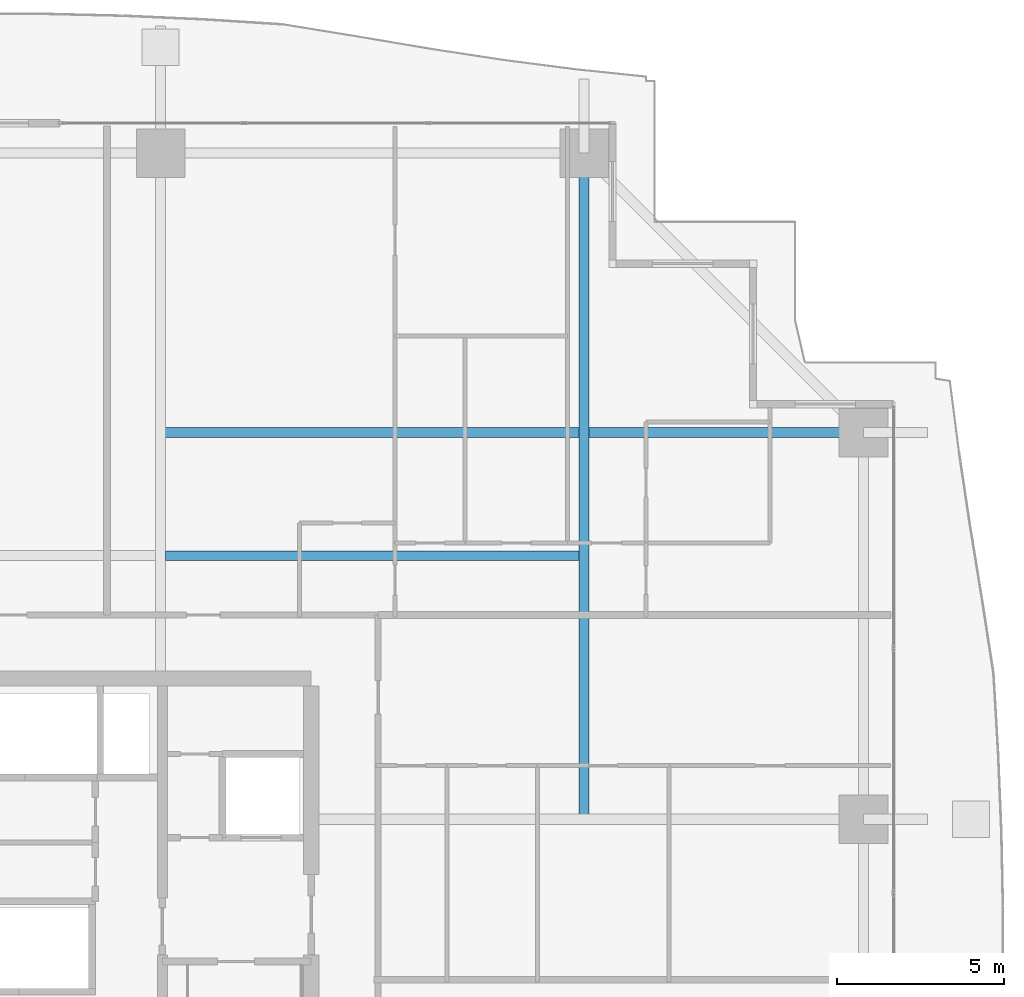
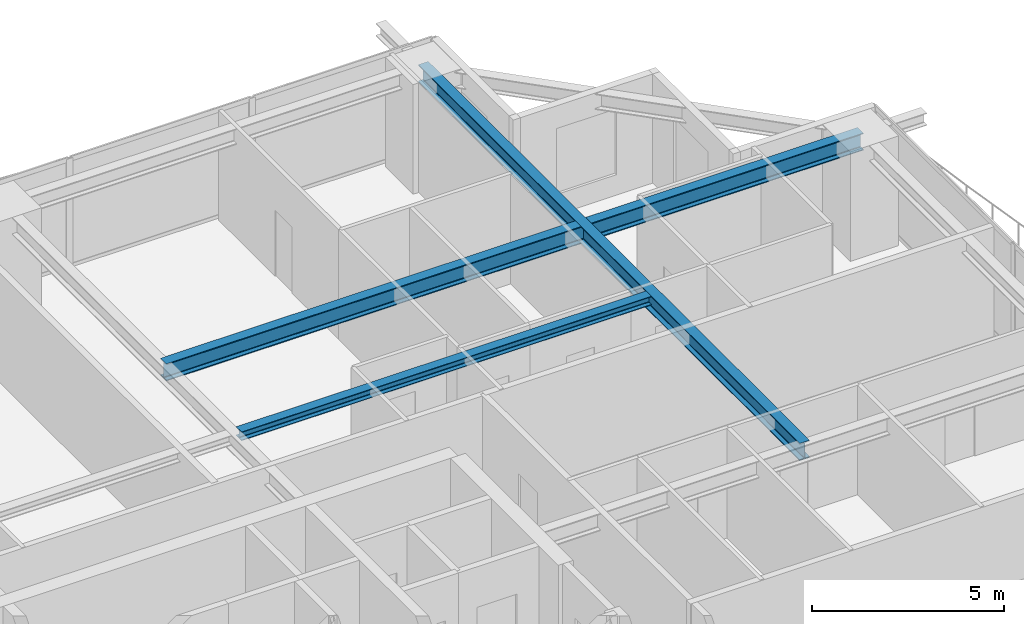
# One storey, part 22 of 38: 3 beams.
"""IFC4 building model written with IfcOpenShell, lengths in metres."""

from ifc_helpers import new_model, si_unit, direction, frame, origin, origin_2d, place, context, subcontext, project, spatial, i_section, extrude, source, transform, mapped, material, material_profile, profile_set, type_object, element, save


model = new_model("IFC4")

# Units and contexts
model_context = context("Model", 3, precision=1e-05, world=origin(), true_north=direction((0.0, 1.0)))
body_context = subcontext(model_context, "Body", "Model", "MODEL_VIEW")
ifc_project = project(units=[si_unit("LENGTHUNIT", "METRE"), si_unit("AREAUNIT", "SQUARE_METRE"), si_unit("VOLUMEUNIT", "CUBIC_METRE"), si_unit("PLANEANGLEUNIT", "RADIAN"), si_unit("MASSUNIT", "GRAM", prefix="KILO")], contexts=[model_context])

# Site, building, storey
site_placement = place(None, origin())
site = spatial("IfcSite", under=ifc_project, at=site_placement, CompositionType="ELEMENT")
building_placement = place(site_placement, origin())
building = spatial("IfcBuilding", under=site, at=building_placement, Name="Serunith Strait Residences", CompositionType="ELEMENT")
storey_placement = place(building_placement, frame((0.0, 0.0, 37.949951171875)))
storey = spatial("IfcBuildingStorey", under=building, at=storey_placement, Name="L08", CompositionType="ELEMENT", Elevation=37.949951171875)

# Beams
ifc_material = material(Name="Steel S355J2", Category="steel")
ifc_material_profile_1 = material_profile(ifc_material, i_section(OverallWidth=0.300048828125, OverallDepth=0.550048828125, WebThickness=0.014892578125, FlangeThickness=0.029052734375, FilletRadius=0.027099609375, at=origin_2d()), Name="HEB 550")
ifc_profile_set_1 = profile_set([ifc_material_profile_1], Name="Steel S355J2")
beam_type_1 = type_object("IfcBeamType", Name="BM-HEB550", PredefinedType="BEAM", material=ifc_profile_set_1)
shared_shape_1 = source(origin(), body_context, "Body", "SweptSolid", [
    extrude(i_section(OverallWidth=0.300048828125, OverallDepth=0.550048828125, WebThickness=0.014892578125, FlangeThickness=0.029052734375, FilletRadius=0.027099609375, at=origin_2d()), origin(), (0.0, 0.0, 1.0), 19.900146484375),
])
beam_1_placement = place(storey_placement, frame((49.550048828125, 29.39990234375, 3.212158203125), z_axis=(0.0, 1.0, 0.0), x_axis=(-1.0, 0.0, 0.0)))
element("IfcBeam", 1, at=beam_1_placement, inside=storey, type_object=beam_type_1, Name="L08 Orthogonal Corner Girder TC-N4", PredefinedType="BEAM", context=body_context, shape_type="MappedRepresentation", body=[
    mapped(shared_shape_1, transform((0.0, 0.0, 0.0), scale=1.0)),
])
shared_shape_2 = source(origin(), body_context, "Body", "SweptSolid", [
    extrude(i_section(OverallWidth=0.300048828125, OverallDepth=0.550048828125, WebThickness=0.014892578125, FlangeThickness=0.029052734375, FilletRadius=0.027099609375, at=origin_2d()), origin(), (0.0, 0.0, 1.0), 21.0),
])
beam_2_placement = place(storey_placement, frame((36.89990234375, 40.949951171875, 3.212158203125), z_axis=(1.0, 0.0, 0.0), x_axis=(0.0, 1.0, 0.0)))
element("IfcBeam", 2, at=beam_2_placement, inside=storey, type_object=beam_type_1, Name="L08 Orthogonal Corner Girder TC-E4", PredefinedType="BEAM", context=body_context, shape_type="MappedRepresentation", body=[
    mapped(shared_shape_2, transform((0.0, 0.0, 0.0), scale=1.0)),
])
ifc_material_profile_2 = material_profile(ifc_material, i_section(OverallWidth=0.280029296875, OverallDepth=0.280029296875, WebThickness=0.010498046875, FlangeThickness=0.01806640625, FilletRadius=0.02392578125, at=origin_2d()), Name="HEB 280")
ifc_profile_set_2 = profile_set([ifc_material_profile_2], Name="Steel S355J2")
beam_type_2 = type_object("IfcBeamType", Name="BM-HEB280", PredefinedType="JOIST", material=ifc_profile_set_2)
shared_shape_3 = source(origin(), body_context, "Body", "SweptSolid", [
    extrude(i_section(OverallWidth=0.280029296875, OverallDepth=0.280029296875, WebThickness=0.010498046875, FlangeThickness=0.01806640625, FilletRadius=0.02392578125, at=origin_2d()), origin(), (0.0, 0.0, 1.0), 12.349853515625),
])
beam_3_placement = place(storey_placement, frame((37.050048828125, 37.27490234375, 3.34716796875), z_axis=(1.0, 0.0, 0.0), x_axis=(0.0, 1.0, 0.0)))
element("IfcBeam", 3, at=beam_3_placement, inside=storey, type_object=beam_type_2, Name="L08 Composite Floor Joist 06", PredefinedType="JOIST", context=body_context, shape_type="MappedRepresentation", body=[
    mapped(shared_shape_3, transform((0.0, 0.0, 0.0), scale=1.0)),
])

save(model, "model.ifc")
